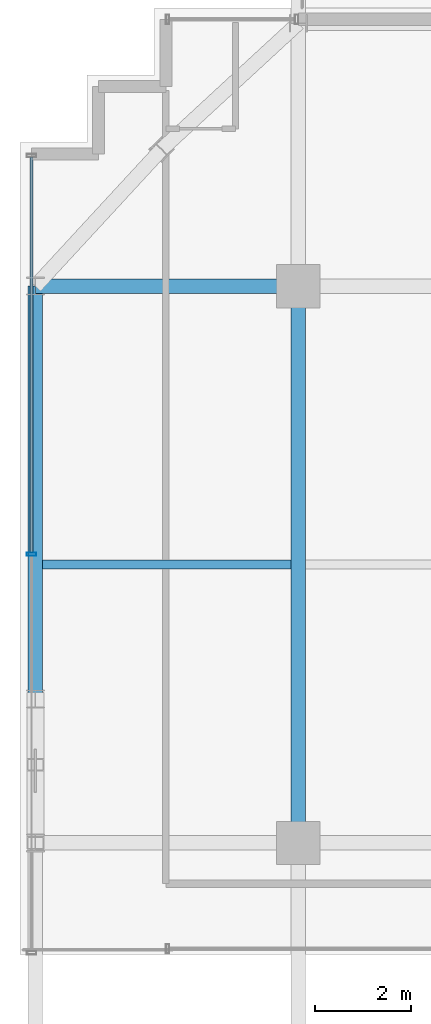
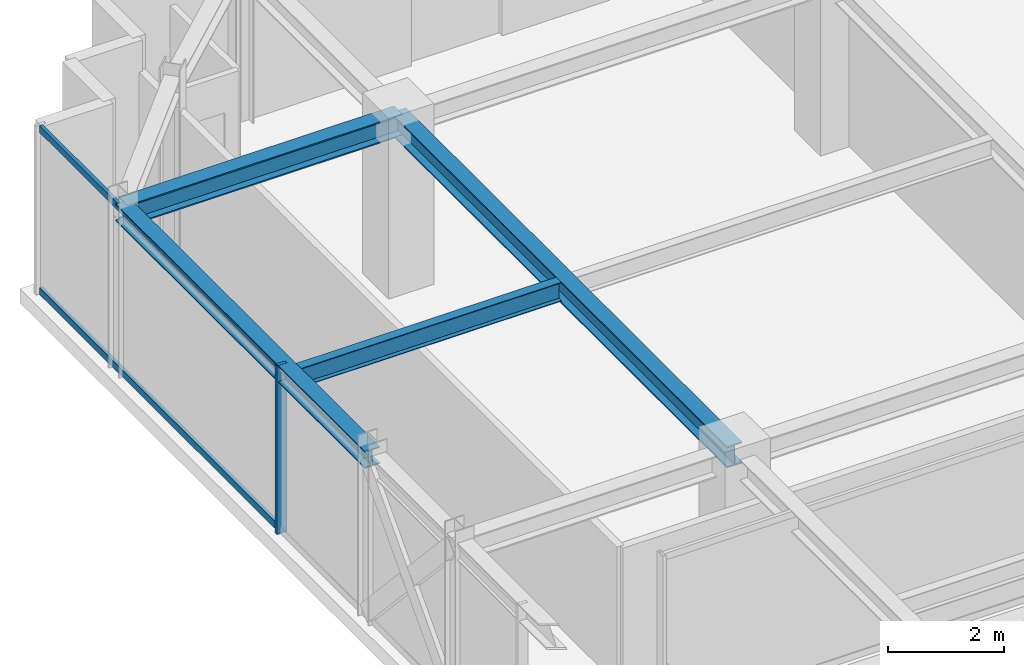
# One storey, part 23 of 39: 4 beams, 3 members, 1 element without a shape of its own.
"""IFC4 building model written with IfcOpenShell, lengths in metres."""

from ifc_helpers import new_model, si_unit, direction, frame, origin, origin_2d, place, context, subcontext, project, spatial, hollow_rectangle, i_section, extrude, source, transform, mapped, material, material_profile, profile_set, type_object, element, aggregate, save


model = new_model("IFC4")

# Units and contexts
model_context = context("Model", 3, precision=1e-05, world=origin(), true_north=direction((0.0, 1.0)))
body_context = subcontext(model_context, "Body", "Model", "MODEL_VIEW")
ifc_project = project(units=[si_unit("LENGTHUNIT", "METRE"), si_unit("AREAUNIT", "SQUARE_METRE"), si_unit("VOLUMEUNIT", "CUBIC_METRE"), si_unit("PLANEANGLEUNIT", "RADIAN"), si_unit("MASSUNIT", "GRAM", prefix="KILO")], contexts=[model_context])

# Site, building, storey
site_placement = place(None, origin())
site = spatial("IfcSite", under=ifc_project, at=site_placement, CompositionType="ELEMENT")
building_placement = place(site_placement, origin())
building = spatial("IfcBuilding", under=site, at=building_placement, Name="Nahalor Promenade Grand Hotel", CompositionType="ELEMENT")
storey_placement = place(building_placement, frame((0.0, 0.0, 311.89990234375)))
storey = spatial("IfcBuildingStorey", under=building, at=storey_placement, Name="L80", CompositionType="ELEMENT", Elevation=311.89990234375)

# Beams
ifc_material_1 = material(Name="Steel S355JR", Category="steel")
ifc_material_profile_1 = material_profile(ifc_material_1, i_section(OverallWidth=0.3, OverallDepth=0.45, WebThickness=0.014, FlangeThickness=0.026, at=origin_2d()), Name="HEB 450")
ifc_profile_set_1 = profile_set([ifc_material_profile_1], Name="Steel S355JR")
beam_type_1 = type_object("IfcBeamType", Name="Beam-Girder-HEB450", PredefinedType="BEAM", material=ifc_profile_set_1)
shared_shape_1 = source(origin(), body_context, "Body", "SweptSolid", [
    extrude(i_section(OverallWidth=0.3, OverallDepth=0.45, WebThickness=0.014, FlangeThickness=0.026, at=origin_2d()), origin(), (0.0, 0.0, 1.0), 11.60009765625),
])
beam_1_placement = place(storey_placement, frame((-17.0, 5.39990234375, 3.3251953125), z_axis=(0.0, 1.0, 0.0), x_axis=(-1.0, 0.0, 0.0)))
element("IfcBeam", 1, at=beam_1_placement, inside=storey, type_object=beam_type_1, Name="BM-L80-GY-0-3", PredefinedType="BEAM", context=body_context, shape_type="MappedRepresentation", body=[
    mapped(shared_shape_1, transform((0.0, 0.0, 0.0), scale=1.0)),
])
shared_shape_2 = source(origin(), body_context, "Body", "SweptSolid", [
    extrude(i_section(OverallWidth=0.3, OverallDepth=0.45, WebThickness=0.014, FlangeThickness=0.026, at=origin_2d()), origin(), (0.0, 0.0, 1.0), 5.47998046875),
])
beam_2_placement = place(storey_placement, frame((-22.47998046875, 17.0, 3.3251953125), z_axis=(1.0, 0.0, 0.0), x_axis=(0.0, 1.0, 0.0)))
element("IfcBeam", 2, at=beam_2_placement, inside=storey, type_object=beam_type_1, Name="BM-L80-GX-3-0", PredefinedType="BEAM", context=body_context, shape_type="MappedRepresentation", body=[
    mapped(shared_shape_2, transform((0.0, 0.0, 0.0), scale=1.0)),
])
ifc_material_profile_2 = material_profile(ifc_material_1, i_section(OverallWidth=0.18, OverallDepth=0.4, WebThickness=0.0086, FlangeThickness=0.0135, at=origin_2d()), Name="IPE 400")
ifc_profile_set_2 = profile_set([ifc_material_profile_2], Name="Steel S355JR")
beam_type_2 = type_object("IfcBeamType", Name="Beam-Joist-IPE400", PredefinedType="JOIST", material=ifc_profile_set_2)
shared_shape_3 = source(origin(), body_context, "Body", "SweptSolid", [
    extrude(i_section(OverallWidth=0.18, OverallDepth=0.4, WebThickness=0.0086, FlangeThickness=0.0135, at=origin_2d()), origin(), (0.0, 0.0, 1.0), 5.18017578125),
])
beam_3_placement = place(storey_placement, frame((-22.330078125, 11.199951171875, 3.35009765625), z_axis=(1.0, 0.0, 0.0), x_axis=(0.0, 1.0, 0.0)))
element("IfcBeam", 3, at=beam_3_placement, inside=storey, type_object=beam_type_2, Name="BM-L80-JSW-1-0", PredefinedType="JOIST", context=body_context, shape_type="MappedRepresentation", body=[
    mapped(shared_shape_3, transform((0.0, 0.0, 0.0), scale=1.0)),
])
ifc_material_profile_3 = material_profile(ifc_material_1, i_section(OverallWidth=0.3, OverallDepth=0.36, WebThickness=0.0125, FlangeThickness=0.0225, at=origin_2d()), Name="HEB 360")
ifc_profile_set_3 = profile_set([ifc_material_profile_3], Name="Steel S355JR")
beam_type_3 = type_object("IfcBeamType", Name="Beam-Spandrel-HEB360", PredefinedType="SPANDREL", material=ifc_profile_set_3)
shared_shape_4 = source(origin(), body_context, "Body", "SweptSolid", [
    extrude(i_section(OverallWidth=0.3, OverallDepth=0.36, WebThickness=0.0125, FlangeThickness=0.0225, at=origin_2d()), origin(), (0.0, 0.0, 1.0), 8.60009765625),
])
beam_4_placement = place(storey_placement, frame((-22.47998046875, 8.39990234375, 3.3701171875), z_axis=(0.0, 1.0, 0.0), x_axis=(-1.0, 0.0, 0.0)))
element("IfcBeam", 4, at=beam_4_placement, inside=storey, type_object=beam_type_3, Name="BM-L80-SP-W-4", PredefinedType="SPANDREL", context=body_context, shape_type="MappedRepresentation", body=[
    mapped(shared_shape_4, transform((0.0, 0.0, 0.0), scale=1.0)),
])

# Curtain wall, members
ifc_material_2 = material(Name="Anodised Bronze Aluminium EN AW-6063 T6", Category="aluminium")
curtain_wall_type = type_object("IfcCurtainWallType", Name="CW3 Elliptical-Void Collar Unitised Curtain Wall", PredefinedType="USERDEFINED", material=ifc_material_2)
curtain_wall_placement = place(storey_placement, origin())
curtain_wall = element("IfcCurtainWall", 5, at=curtain_wall_placement, inside=storey, type_object=curtain_wall_type, Name="L80 Curtain Wall CW-L80-W-2", ObjectType="UNITISED_CURTAIN_WALL", PredefinedType="USERDEFINED")
ifc_material_profile_4 = material_profile(ifc_material_2, hollow_rectangle(XDim=0.07, YDim=0.2, WallThickness=0.005, at=origin_2d()), Name="CWM 70x200x5")
ifc_profile_set_4 = profile_set([ifc_material_profile_4], Name="Anodised Bronze Aluminium EN AW-6063 T6")
member_type_1 = type_object("IfcMemberType", Name="CWM3 Void Collar Mullion 70x200", PredefinedType="MULLION", material=ifc_profile_set_4)
shared_shape_5 = source(origin(), body_context, "Body", "SweptSolid", [
    extrude(hollow_rectangle(XDim=0.07, YDim=0.2, WallThickness=0.005, at=origin_2d()), origin(), (0.0, 0.0, 1.0), 3.550048828125),
])
member_1_placement = place(storey_placement, frame((-22.56005859375, 11.41552734375, 0.0), z_axis=(0.0, 0.0, 1.0), x_axis=(0.0, 1.0, 0.0)))
member_1 = element("IfcMember", 6, at=member_1_placement, type_object=member_type_1, Name="CW-L80-W-2 Mullion 1", PredefinedType="MULLION", context=body_context, shape_type="MappedRepresentation", body=[
    mapped(shared_shape_5, transform((0.0, 0.0, 0.0), scale=1.0)),
])
ifc_material_profile_5 = material_profile(ifc_material_2, hollow_rectangle(XDim=0.07, YDim=0.14, WallThickness=0.004, at=origin_2d()), Name="CWT 70x140x4")
ifc_profile_set_5 = profile_set([ifc_material_profile_5], Name="Anodised Bronze Aluminium EN AW-6063 T6")
member_type_2 = type_object("IfcMemberType", Name="CWT3 Void Collar Transom 70x140", PredefinedType="USERDEFINED", material=ifc_profile_set_5)
shared_shape_6 = source(origin(), body_context, "Body", "SweptSolid", [
    extrude(hollow_rectangle(XDim=0.07, YDim=0.14, WallThickness=0.004, at=origin_2d()), origin(), (0.0, 0.0, 1.0), 8.239501953125),
])
member_2_placement = place(storey_placement, frame((-22.56005859375, 11.450439453125, 0.070068359375), z_axis=(0.0, 1.0, 0.0), x_axis=(-1.0, 0.0, 0.0)))
member_2 = element("IfcMember", 7, at=member_2_placement, type_object=member_type_2, Name="CW-L80-W-2 Transom 1-0", ObjectType="TRANSOM", PredefinedType="USERDEFINED", context=body_context, shape_type="MappedRepresentation", body=[
    mapped(shared_shape_6, transform((0.0, 0.0, 0.0), scale=1.0)),
])
member_3_placement = place(storey_placement, frame((-22.56005859375, 11.450439453125, 3.47998046875), z_axis=(0.0, 1.0, 0.0), x_axis=(-1.0, 0.0, 0.0)))
member_3 = element("IfcMember", 8, at=member_3_placement, type_object=member_type_2, Name="CW-L80-W-2 Transom 1-1", ObjectType="TRANSOM", PredefinedType="USERDEFINED", context=body_context, shape_type="MappedRepresentation", body=[
    mapped(shared_shape_6, transform((0.0, 0.0, 0.0), scale=1.0)),
])
aggregate(curtain_wall, [member_1, member_2, member_3])

save(model, "model.ifc")
